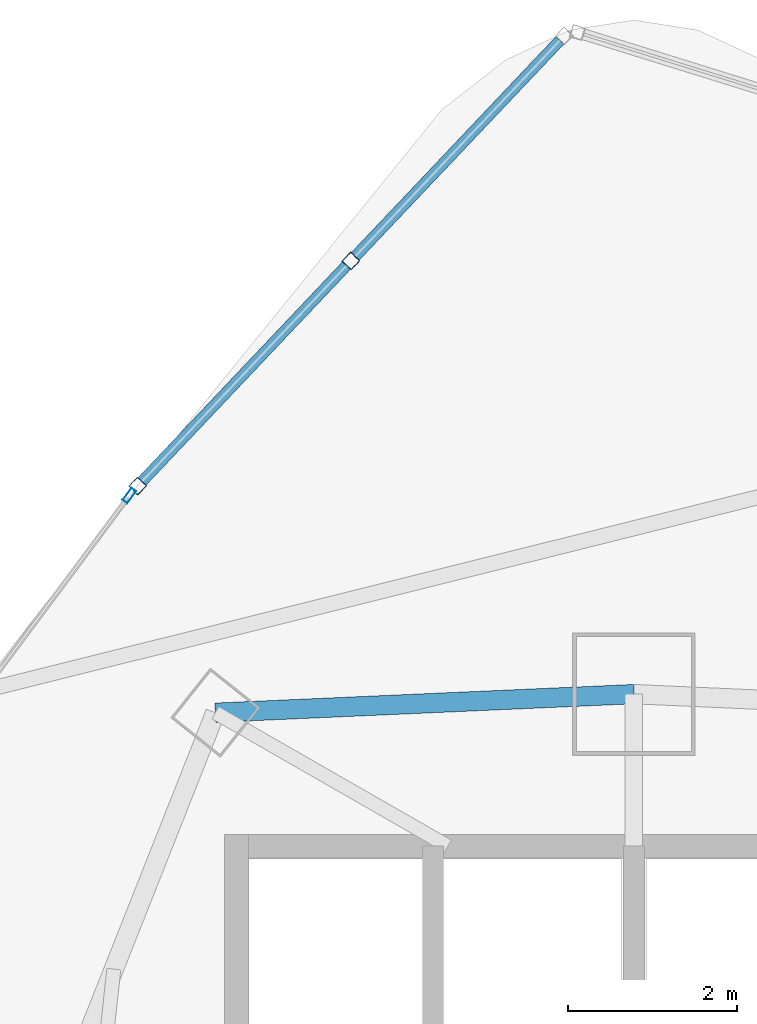
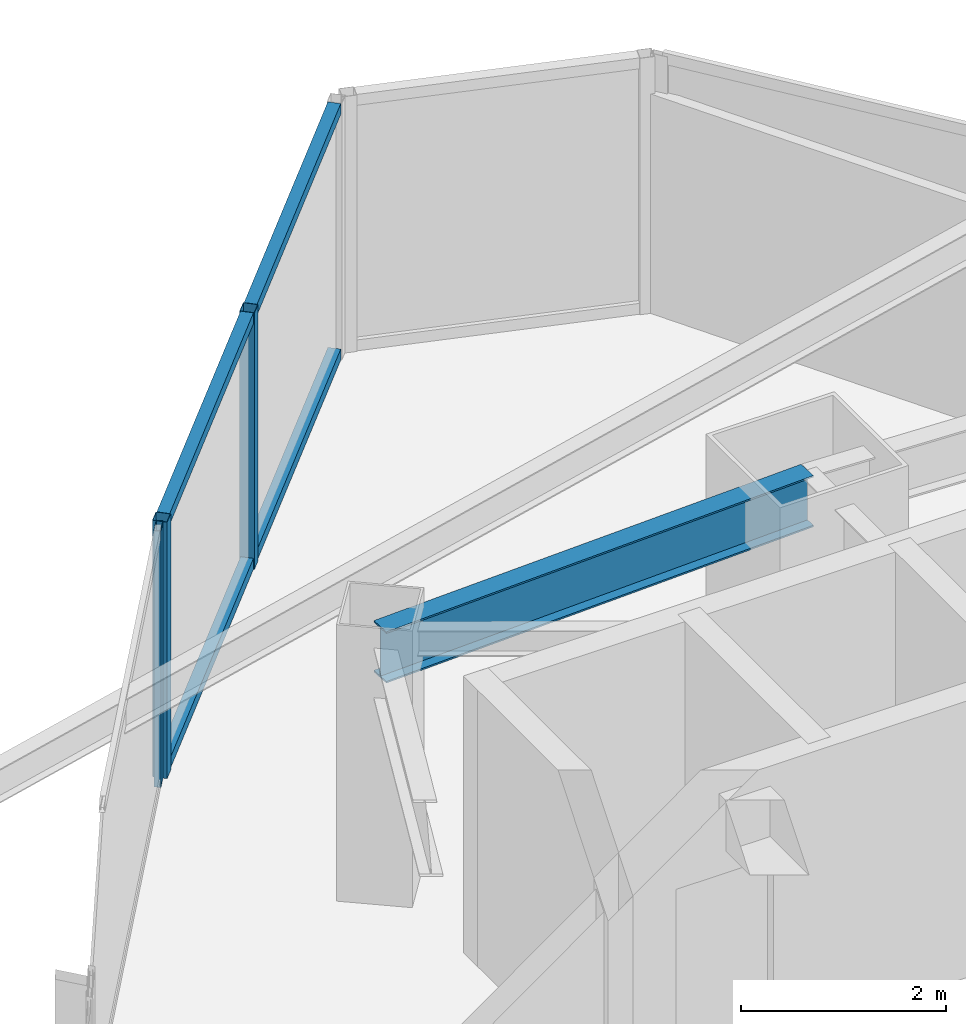
# One storey, part 22 of 33: 7 members, 1 beam, 2 elements without a shape of their own.
"""IFC4 building model written with IfcOpenShell, lengths in metres."""

from ifc_helpers import new_model, si_unit, direction, frame, origin, origin_2d, place, context, subcontext, project, spatial, hollow_rectangle, i_section, extrude, material, layer, layer_set, material_profile, profile_set, type_object, element, aggregate, save


model = new_model("IFC4")

# Units and contexts
model_context = context("Model", 3, precision=1e-05, world=origin(), true_north=direction((0.0, 1.0)))
body_context = subcontext(model_context, "Body", "Model", "MODEL_VIEW")
ifc_project = project(units=[si_unit("LENGTHUNIT", "METRE"), si_unit("AREAUNIT", "SQUARE_METRE"), si_unit("VOLUMEUNIT", "CUBIC_METRE"), si_unit("PLANEANGLEUNIT", "RADIAN"), si_unit("MASSUNIT", "GRAM", prefix="KILO")], contexts=[model_context])

# Site, building, storey
site_placement = place(None, origin())
site = spatial("IfcSite", under=ifc_project, at=site_placement, CompositionType="ELEMENT")
building_placement = place(site_placement, origin())
building = spatial("IfcBuilding", under=site, at=building_placement, Name="Orvanel Arch Residences", CompositionType="ELEMENT")
storey_placement = place(building_placement, frame((0.0, 0.0, 116.60009765625)))
storey = spatial("IfcBuildingStorey", under=building, at=storey_placement, Name="L32", CompositionType="ELEMENT", Elevation=116.60009765625)

# Curtain wall, members
ifc_material_1 = material(Name="Bronze-anodised aluminium AA6063-T6", Category="aluminium")
ifc_layer_1 = layer(ifc_material_1, 0.18994140625)
ifc_layer_set_1 = layer_set([ifc_layer_1], Name="Bronze-anodised aluminium AA6063-T6")
curtain_wall_type_1 = type_object("IfcCurtainWallType", Name="CW5-CRN-SYS", PredefinedType="NOTDEFINED", material=ifc_layer_set_1)
curtain_wall_1_placement = place(storey_placement, origin())
curtain_wall_1 = element("IfcCurtainWall", 1, at=curtain_wall_1_placement, inside=storey, type_object=curtain_wall_type_1, Name="L32 CW5-CRN-SYS Unitised Curtain Wall", PredefinedType="NOTDEFINED")
ifc_material_profile_1 = material_profile(ifc_material_1, hollow_rectangle(XDim=0.14990234375, YDim=0.14990234375, WallThickness=0.0048828125, at=origin_2d()), Name="ALU150x150x5")
ifc_profile_set_1 = profile_set([ifc_material_profile_1], Name="Bronze-anodised aluminium AA6063-T6")
member_type_1 = type_object("IfcMemberType", Name="MUL-150x150", PredefinedType="MULLION", material=ifc_profile_set_1)
member_1_placement = place(storey_placement, frame((29.653564453125, 46.52197265625, 0.0), z_axis=(0.0, 0.0, 1.0), x_axis=(0.725885986866, -0.687815043505, 0.0)))
member_1 = element("IfcMember", 2, at=member_1_placement, type_object=member_type_1, Name="CW-S5 mullion 2", PredefinedType="MULLION", context=body_context, shape_type="SweptSolid", body=[
    extrude(hollow_rectangle(XDim=0.14990234375, YDim=0.14990234375, WallThickness=0.0048828125, at=origin_2d()), origin(), (0.0, 0.0, 1.0), 3.059814453125),
])
member_2_placement = place(storey_placement, frame((27.130615234375, 43.859375, 0.0), z_axis=(0.0, 0.0, 1.0), x_axis=(0.725885986866, -0.687815043505, 0.0)))
member_2 = element("IfcMember", 3, at=member_2_placement, type_object=member_type_1, Name="CW-S5 mullion 3", PredefinedType="MULLION", context=body_context, shape_type="SweptSolid", body=[
    extrude(hollow_rectangle(XDim=0.14990234375, YDim=0.14990234375, WallThickness=0.0048828125, at=origin_2d()), origin(), (0.0, 0.0, 1.0), 3.059814453125),
])

# Curtain wall, member
ifc_layer_2 = layer(ifc_material_1, 0.179931640625)
ifc_layer_set_2 = layer_set([ifc_layer_2], Name="Bronze-anodised aluminium AA6063-T6")
curtain_wall_type_2 = type_object("IfcCurtainWallType", Name="CW3-MID-SYS", PredefinedType="NOTDEFINED", material=ifc_layer_set_2)
curtain_wall_2_placement = place(storey_placement, origin())
curtain_wall_2 = element("IfcCurtainWall", 4, at=curtain_wall_2_placement, inside=storey, type_object=curtain_wall_type_2, Name="L32 CW3-MID-SYS Unitised Curtain Wall", PredefinedType="NOTDEFINED")
ifc_material_profile_2 = material_profile(ifc_material_1, hollow_rectangle(XDim=0.070068359375, YDim=0.179931640625, WallThickness=0.00439453125, at=origin_2d()), Name="ALU180x70x4.5")
ifc_profile_set_2 = profile_set([ifc_material_profile_2], Name="Bronze-anodised aluminium AA6063-T6")
member_type_2 = type_object("IfcMemberType", Name="MUL-180x70", PredefinedType="MULLION", material=ifc_profile_set_2)
member_3_placement = place(storey_placement, frame((27.031982421875, 43.745849609375, 0.0), z_axis=(0.0, 0.0, 1.0), x_axis=(0.802116413742, -0.59716769739, 0.0)))
member_3 = element("IfcMember", 5, at=member_3_placement, type_object=member_type_2, Name="CW-S3 mullion 1", PredefinedType="MULLION", context=body_context, shape_type="SweptSolid", body=[
    extrude(hollow_rectangle(XDim=0.070068359375, YDim=0.179931640625, WallThickness=0.00439453125, at=origin_2d()), origin(), (0.0, 0.0, 1.0), 3.059814453125),
])
aggregate(curtain_wall_2, [member_3])

# Beam
ifc_material_2 = material(Name="Structural steel AS/NZS 3679.1 Grade 300 (300 MPa)", Category="steel")
ifc_material_profile_3 = material_profile(ifc_material_2, i_section(OverallWidth=0.22900390625, OverallDepth=0.612060546875, WebThickness=0.011962890625, FlangeThickness=0.01953125, at=origin_2d()), Name="610UB125")
ifc_profile_set_3 = profile_set([ifc_material_profile_3], Name="Structural steel AS/NZS 3679.1 Grade 300 (300 MPa)")
beam_type = type_object("IfcBeamType", Name="SP-610UB", PredefinedType="SPANDREL", material=ifc_profile_set_3)
beam_placement = place(storey_placement, frame((33.0, 41.39794921875, 2.75390625), z_axis=(-0.999014049296, -0.044395149614, 0.0), x_axis=(0.044395149614, -0.999014049296, 0.0)))
element("IfcBeam", 6, at=beam_placement, inside=storey, type_object=beam_type, Name="L32 Perimeter Spandrel Beam 15", PredefinedType="SPANDREL", context=body_context, shape_type="SweptSolid", body=[
    extrude(i_section(OverallWidth=0.22900390625, OverallDepth=0.612060546875, WebThickness=0.011962890625, FlangeThickness=0.01953125, at=origin_2d()), origin(), (0.0, 0.0, 1.0), 4.954833984375),
])

# Member
ifc_material_profile_4 = material_profile(ifc_material_1, hollow_rectangle(XDim=0.1298828125, YDim=0.1298828125, WallThickness=0.00439453125, at=origin_2d()), Name="ALU130x130x4.5")
ifc_profile_set_4 = profile_set([ifc_material_profile_4], Name="Bronze-anodised aluminium AA6063-T6")
member_type_3 = type_object("IfcMemberType", Name="TRN-130x130", PredefinedType="USERDEFINED", material=ifc_profile_set_4)
member_4_placement = place(storey_placement, frame((32.124755859375, 49.130126953125, 0.06494140625), z_axis=(-0.687800467958, -0.725899797683, 0.0), x_axis=(0.725899797683, -0.687800467958, 0.0)))
member_4 = element("IfcMember", 7, at=member_4_placement, type_object=member_type_3, Name="CW-S5 transom 1.1", ObjectType="TRANSOM", PredefinedType="USERDEFINED", context=body_context, shape_type="SweptSolid", body=[
    extrude(hollow_rectangle(XDim=0.1298828125, YDim=0.1298828125, WallThickness=0.00439453125, at=origin_2d()), origin(), (0.0, 0.0, 1.0), 3.51806640625),
])

member_5_placement = place(storey_placement, frame((32.124755859375, 49.130126953125, 2.994873046875), z_axis=(-0.687800467958, -0.725899797683, 0.0), x_axis=(0.725899797683, -0.687800467958, 0.0)))
member_5 = element("IfcMember", 8, at=member_5_placement, type_object=member_type_3, Name="CW-S5 transom 1.2", ObjectType="TRANSOM", PredefinedType="USERDEFINED", context=body_context, shape_type="SweptSolid", body=[
    extrude(hollow_rectangle(XDim=0.1298828125, YDim=0.1298828125, WallThickness=0.00439453125, at=origin_2d()), origin(), (0.0, 0.0, 1.0), 3.51806640625),
])

member_6_placement = place(storey_placement, frame((29.601806640625, 46.467529296875, 0.06494140625), z_axis=(-0.687800467958, -0.725899797683, 0.0), x_axis=(0.725899797683, -0.687800467958, 0.0)))
member_6 = element("IfcMember", 9, at=member_6_placement, type_object=member_type_3, Name="CW-S5 transom 2.1", ObjectType="TRANSOM", PredefinedType="USERDEFINED", context=body_context, shape_type="SweptSolid", body=[
    extrude(hollow_rectangle(XDim=0.1298828125, YDim=0.1298828125, WallThickness=0.00439453125, at=origin_2d()), origin(), (0.0, 0.0, 1.0), 3.51806640625),
])

member_7_placement = place(storey_placement, frame((29.601806640625, 46.467529296875, 2.994873046875), z_axis=(-0.687800467958, -0.725899797683, 0.0), x_axis=(0.725899797683, -0.687800467958, 0.0)))
member_7 = element("IfcMember", 10, at=member_7_placement, type_object=member_type_3, Name="CW-S5 transom 2.2", ObjectType="TRANSOM", PredefinedType="USERDEFINED", context=body_context, shape_type="SweptSolid", body=[
    extrude(hollow_rectangle(XDim=0.1298828125, YDim=0.1298828125, WallThickness=0.00439453125, at=origin_2d()), origin(), (0.0, 0.0, 1.0), 3.51806640625),
])

aggregate(curtain_wall_1, [member_1, member_2, member_4, member_5, member_6, member_7])

save(model, "model.ifc")
